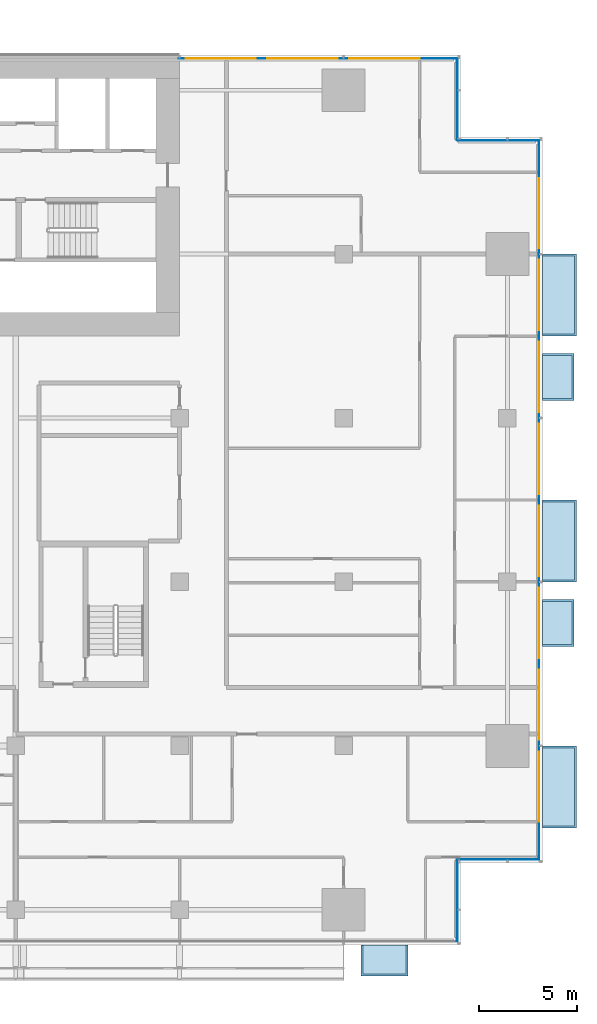
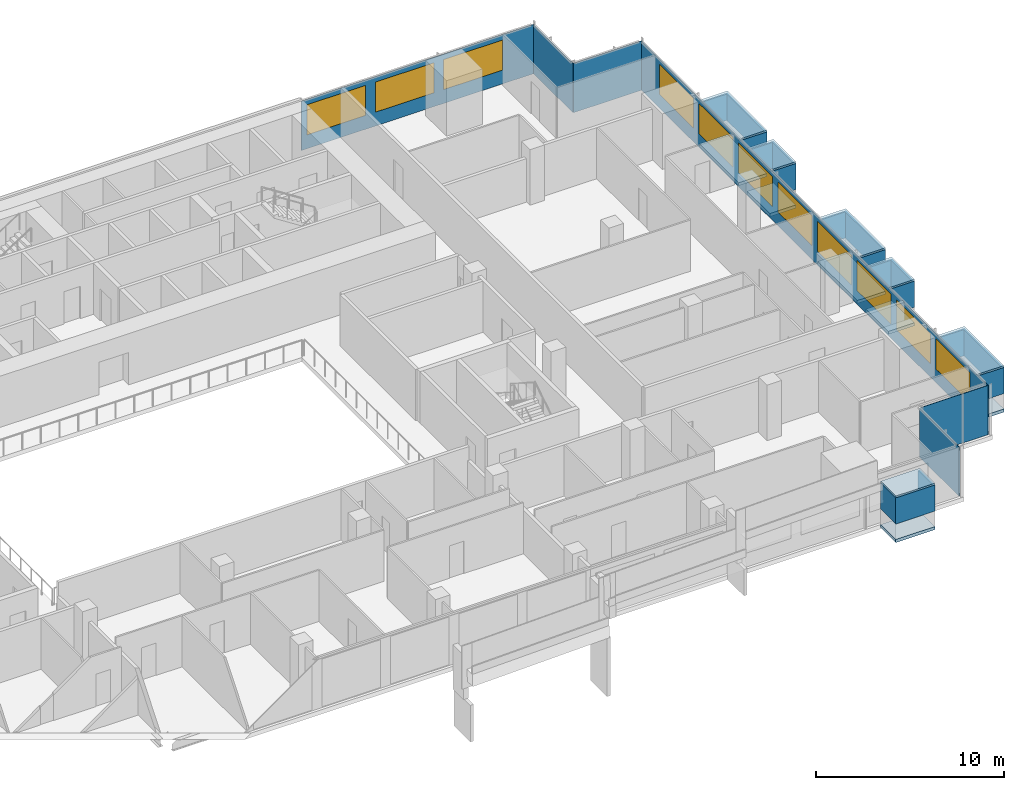
# One storey, part 16 of 27: 18 plates, 11 windows, 6 slabs, 11 openings, 6 elements without a shape of their own.
"""IFC4 building model written with IfcOpenShell, lengths in metres."""

from ifc_helpers import new_model, si_unit, direction, frame, frame_2d, origin, place, context, subcontext, project, spatial, polyline, rectangle, outline, extrude, material, layer, layer_set, type_object, element, fill, aggregate, save


model = new_model("IFC4")

# Units and contexts
model_context = context("Model", 3, precision=1e-05, world=origin(), true_north=direction((0.0, 1.0)))
body_context = subcontext(model_context, "Body", "Model", "MODEL_VIEW")
ifc_project = project(units=[si_unit("LENGTHUNIT", "METRE"), si_unit("AREAUNIT", "SQUARE_METRE"), si_unit("VOLUMEUNIT", "CUBIC_METRE"), si_unit("PLANEANGLEUNIT", "RADIAN"), si_unit("MASSUNIT", "GRAM", prefix="KILO")], contexts=[model_context])

# Site, building, storey
site_placement = place(None, origin())
site = spatial("IfcSite", under=ifc_project, at=site_placement, CompositionType="ELEMENT")
building_placement = place(site_placement, origin())
building = spatial("IfcBuilding", under=site, at=building_placement, Name="Saffron Gate Tower", CompositionType="ELEMENT")
storey_placement = place(building_placement, frame((0.0, 0.0, 44.39990234375)))
storey = spatial("IfcBuildingStorey", under=building, at=storey_placement, Name="L09", CompositionType="ELEMENT", Elevation=44.39990234375)

# Curtain wall, plate, openings, windows
ifc_material_1 = material(Name="Aluminium, bronze anodised", Category="aluminium")
curtain_wall_type_1 = type_object("IfcCurtainWallType", Name="CWS2 curtain wall side facades", PredefinedType="NOTDEFINED", material=ifc_material_1)
curtain_wall_1_placement = place(storey_placement, origin())
curtain_wall_1 = element("IfcCurtainWall", 1, at=curtain_wall_1_placement, inside=storey, type_object=curtain_wall_type_1, Name="CWS2 run 4", PredefinedType="NOTDEFINED")
ifc_material_2 = material(Name="Fritted bronze-tinted laminated glass", Category="glass")
ifc_layer_1 = layer(ifc_material_2, 0.028076171875)
ifc_layer_set_1 = layer_set([ifc_layer_1], Name="CWS2 fixed glass")
plate_type_1 = type_object("IfcPlateType", Name="CWS2 fixed glass", PredefinedType="CURTAIN_PANEL", material=ifc_layer_set_1)
plate_1_placement = place(storey_placement, frame((127.02587890625, 34.387939453125, 0.0), z_axis=(0.0, 0.0, 1.0), x_axis=(0.0, 1.0, 0.0)))
plate_1 = element("IfcPlate", 2, at=plate_1_placement, type_object=plate_type_1, Name="CWS2 glass panel", PredefinedType="CURTAIN_PANEL", context=body_context, shape_type="SweptSolid", body=[
    extrude(rectangle(XDim=36.823974609375, YDim=0.028076171875, at=frame_2d((18.412109375, 0.0))), origin(), (0.0, 0.0, 1.0), 3.2001953125),
])
opening_1_placement = place(plate_1_placement, frame((1.912109375, 0.0, 0.89990234375)))
opening_1 = element("IfcOpeningElement", 3, at=opening_1_placement, cuts=plate_1, Name="Opening W1", PredefinedType="OPENING", context=body_context, shape_type="SweptSolid", body=[
    extrude(rectangle(XDim=3.60009765625, YDim=1.949951171875, at=frame_2d((1.800048828125, 0.97509765625))), frame((0.0, 0.02392578125, 0.0), z_axis=(0.0, -1.0, 0.0), x_axis=(1.0, 0.0, 0.0)), (0.0, 0.0, 1.0), 0.048095703125),
])
opening_2_placement = place(plate_1_placement, frame((6.112060546875, 0.0, 0.89990234375)))
opening_2 = element("IfcOpeningElement", 4, at=opening_2_placement, cuts=plate_1, Name="Opening W1", PredefinedType="OPENING", context=body_context, shape_type="SweptSolid", body=[
    extrude(rectangle(XDim=3.60009765625, YDim=1.949951171875, at=frame_2d((1.800048828125, 0.97509765625))), frame((0.0, 0.02392578125, 0.0), z_axis=(0.0, -1.0, 0.0), x_axis=(1.0, 0.0, 0.0)), (0.0, 0.0, 1.0), 0.048095703125),
])
opening_3_placement = place(plate_1_placement, frame((10.31201171875, 0.0, 0.89990234375)))
opening_3 = element("IfcOpeningElement", 5, at=opening_3_placement, cuts=plate_1, Name="Opening W1", PredefinedType="OPENING", context=body_context, shape_type="SweptSolid", body=[
    extrude(rectangle(XDim=3.60009765625, YDim=1.949951171875, at=frame_2d((1.800048828125, 0.97509765625))), frame((0.0, 0.02392578125, 0.0), z_axis=(0.0, -1.0, 0.0), x_axis=(1.0, 0.0, 0.0)), (0.0, 0.0, 1.0), 0.048095703125),
])
opening_4_placement = place(plate_1_placement, frame((14.511962890625, 0.0, 0.89990234375)))
opening_4 = element("IfcOpeningElement", 6, at=opening_4_placement, cuts=plate_1, Name="Opening W1", PredefinedType="OPENING", context=body_context, shape_type="SweptSolid", body=[
    extrude(rectangle(XDim=3.60009765625, YDim=1.949951171875, at=frame_2d((1.800048828125, 0.97509765625))), frame((0.0, 0.02392578125, 0.0), z_axis=(0.0, -1.0, 0.0), x_axis=(1.0, 0.0, 0.0)), (0.0, 0.0, 1.0), 0.048095703125),
])
opening_5_placement = place(plate_1_placement, frame((18.7119140625, 0.0, 0.89990234375)))
opening_5 = element("IfcOpeningElement", 7, at=opening_5_placement, cuts=plate_1, Name="Opening W1", PredefinedType="OPENING", context=body_context, shape_type="SweptSolid", body=[
    extrude(rectangle(XDim=3.60009765625, YDim=1.949951171875, at=frame_2d((1.800048828125, 0.97509765625))), frame((0.0, 0.02392578125, 0.0), z_axis=(0.0, -1.0, 0.0), x_axis=(1.0, 0.0, 0.0)), (0.0, 0.0, 1.0), 0.048095703125),
])
opening_6_placement = place(plate_1_placement, frame((22.912109375, 0.0, 0.89990234375)))
opening_6 = element("IfcOpeningElement", 8, at=opening_6_placement, cuts=plate_1, Name="Opening W1", PredefinedType="OPENING", context=body_context, shape_type="SweptSolid", body=[
    extrude(rectangle(XDim=3.60009765625, YDim=1.949951171875, at=frame_2d((1.800048828125, 0.97509765625))), frame((0.0, 0.02392578125, 0.0), z_axis=(0.0, -1.0, 0.0), x_axis=(1.0, 0.0, 0.0)), (0.0, 0.0, 1.0), 0.048095703125),
])
opening_7_placement = place(plate_1_placement, frame((27.112060546875, 0.0, 0.89990234375)))
opening_7 = element("IfcOpeningElement", 9, at=opening_7_placement, cuts=plate_1, Name="Opening W1", PredefinedType="OPENING", context=body_context, shape_type="SweptSolid", body=[
    extrude(rectangle(XDim=3.60009765625, YDim=1.949951171875, at=frame_2d((1.800048828125, 0.97509765625))), frame((0.0, 0.02392578125, 0.0), z_axis=(0.0, -1.0, 0.0), x_axis=(1.0, 0.0, 0.0)), (0.0, 0.0, 1.0), 0.048095703125),
])
opening_8_placement = place(plate_1_placement, frame((31.31201171875, 0.0, 0.89990234375)))
opening_8 = element("IfcOpeningElement", 10, at=opening_8_placement, cuts=plate_1, Name="Opening W1", PredefinedType="OPENING", context=body_context, shape_type="SweptSolid", body=[
    extrude(rectangle(XDim=3.60009765625, YDim=1.949951171875, at=frame_2d((1.800048828125, 0.97509765625))), frame((0.0, 0.02392578125, 0.0), z_axis=(0.0, -1.0, 0.0), x_axis=(1.0, 0.0, 0.0)), (0.0, 0.0, 1.0), 0.048095703125),
])
ifc_material_3 = material(Name="Fritted bronze-tinted laminated glass in bronze frame", Category="glass")
ifc_layer_2 = layer(ifc_material_3, 0.06005859375)
ifc_layer_set_2 = layer_set([ifc_layer_2], Name="W1 operable panel 3600x1950")
window_type = type_object("IfcWindowType", Name="W1 operable panel 3600x1950", PartitioningType="DOUBLE_PANEL_HORIZONTAL", PredefinedType="WINDOW", material=ifc_layer_set_2)
window_1_placement = place(opening_1_placement, origin())
window_1 = element("IfcWindow", 11, at=window_1_placement, type_object=window_type, Name="W1 operable panel", OverallHeight=1.949951171875, OverallWidth=3.60009765625, PartitioningType="SINGLE_PANEL", PredefinedType="WINDOW", context=body_context, shape_type="SweptSolid", body=[
    extrude(rectangle(XDim=3.60009765625, YDim=1.949951171875, at=frame_2d((1.800048828125, 0.97509765625))), frame((0.0, 0.013671875, 0.0), z_axis=(0.0, -1.0, 0.0), x_axis=(1.0, 0.0, 0.0)), (0.0, 0.0, 1.0), 0.027587890625),
])
fill(opening_1, window_1)
window_2_placement = place(opening_2_placement, origin())
window_2 = element("IfcWindow", 12, at=window_2_placement, type_object=window_type, Name="W1 operable panel", OverallHeight=1.949951171875, OverallWidth=3.60009765625, PartitioningType="SINGLE_PANEL", PredefinedType="WINDOW", context=body_context, shape_type="SweptSolid", body=[
    extrude(rectangle(XDim=3.60009765625, YDim=1.949951171875, at=frame_2d((1.800048828125, 0.97509765625))), frame((0.0, 0.013671875, 0.0), z_axis=(0.0, -1.0, 0.0), x_axis=(1.0, 0.0, 0.0)), (0.0, 0.0, 1.0), 0.027587890625),
])
fill(opening_2, window_2)
window_3_placement = place(opening_3_placement, origin())
window_3 = element("IfcWindow", 13, at=window_3_placement, type_object=window_type, Name="W1 operable panel", OverallHeight=1.949951171875, OverallWidth=3.60009765625, PartitioningType="SINGLE_PANEL", PredefinedType="WINDOW", context=body_context, shape_type="SweptSolid", body=[
    extrude(rectangle(XDim=3.60009765625, YDim=1.949951171875, at=frame_2d((1.800048828125, 0.97509765625))), frame((0.0, 0.013671875, 0.0), z_axis=(0.0, -1.0, 0.0), x_axis=(1.0, 0.0, 0.0)), (0.0, 0.0, 1.0), 0.027587890625),
])
fill(opening_3, window_3)
window_4_placement = place(opening_4_placement, origin())
window_4 = element("IfcWindow", 14, at=window_4_placement, type_object=window_type, Name="W1 operable panel", OverallHeight=1.949951171875, OverallWidth=3.60009765625, PartitioningType="SINGLE_PANEL", PredefinedType="WINDOW", context=body_context, shape_type="SweptSolid", body=[
    extrude(rectangle(XDim=3.60009765625, YDim=1.949951171875, at=frame_2d((1.800048828125, 0.97509765625))), frame((0.0, 0.013671875, 0.0), z_axis=(0.0, -1.0, 0.0), x_axis=(1.0, 0.0, 0.0)), (0.0, 0.0, 1.0), 0.027587890625),
])
fill(opening_4, window_4)
window_5_placement = place(opening_5_placement, origin())
window_5 = element("IfcWindow", 15, at=window_5_placement, type_object=window_type, Name="W1 operable panel", OverallHeight=1.949951171875, OverallWidth=3.60009765625, PartitioningType="SINGLE_PANEL", PredefinedType="WINDOW", context=body_context, shape_type="SweptSolid", body=[
    extrude(rectangle(XDim=3.60009765625, YDim=1.949951171875, at=frame_2d((1.800048828125, 0.97509765625))), frame((0.0, 0.013671875, 0.0), z_axis=(0.0, -1.0, 0.0), x_axis=(1.0, 0.0, 0.0)), (0.0, 0.0, 1.0), 0.027587890625),
])
fill(opening_5, window_5)
window_6_placement = place(opening_6_placement, origin())
window_6 = element("IfcWindow", 16, at=window_6_placement, type_object=window_type, Name="W1 operable panel", OverallHeight=1.949951171875, OverallWidth=3.60009765625, PartitioningType="SINGLE_PANEL", PredefinedType="WINDOW", context=body_context, shape_type="SweptSolid", body=[
    extrude(rectangle(XDim=3.60009765625, YDim=1.949951171875, at=frame_2d((1.800048828125, 0.97509765625))), frame((0.0, 0.013671875, 0.0), z_axis=(0.0, -1.0, 0.0), x_axis=(1.0, 0.0, 0.0)), (0.0, 0.0, 1.0), 0.027587890625),
])
fill(opening_6, window_6)
window_7_placement = place(opening_7_placement, origin())
window_7 = element("IfcWindow", 17, at=window_7_placement, type_object=window_type, Name="W1 operable panel", OverallHeight=1.949951171875, OverallWidth=3.60009765625, PartitioningType="SINGLE_PANEL", PredefinedType="WINDOW", context=body_context, shape_type="SweptSolid", body=[
    extrude(rectangle(XDim=3.60009765625, YDim=1.949951171875, at=frame_2d((1.800048828125, 0.97509765625))), frame((0.0, 0.013671875, 0.0), z_axis=(0.0, -1.0, 0.0), x_axis=(1.0, 0.0, 0.0)), (0.0, 0.0, 1.0), 0.027587890625),
])
fill(opening_7, window_7)
window_8_placement = place(opening_8_placement, origin())
window_8 = element("IfcWindow", 18, at=window_8_placement, type_object=window_type, Name="W1 operable panel", OverallHeight=1.949951171875, OverallWidth=3.60009765625, PartitioningType="SINGLE_PANEL", PredefinedType="WINDOW", context=body_context, shape_type="SweptSolid", body=[
    extrude(rectangle(XDim=3.60009765625, YDim=1.949951171875, at=frame_2d((1.800048828125, 0.97509765625))), frame((0.0, 0.013671875, 0.0), z_axis=(0.0, -1.0, 0.0), x_axis=(1.0, 0.0, 0.0)), (0.0, 0.0, 1.0), 0.027587890625),
])
fill(opening_8, window_8)
aggregate(curtain_wall_1, [plate_1, window_1, window_2, window_3, window_4, window_5, window_6, window_7, window_8])

curtain_wall_type_2 = type_object("IfcCurtainWallType", Name="CWS3 curtain wall rear facade", PredefinedType="NOTDEFINED", material=ifc_material_1)
curtain_wall_2_placement = place(storey_placement, origin())
curtain_wall_2 = element("IfcCurtainWall", 19, at=curtain_wall_2_placement, inside=storey, type_object=curtain_wall_type_2, Name="CWS3 run 7", PredefinedType="NOTDEFINED")
ifc_material_4 = material(Name="Fritted grey-tinted laminated glass", Category="glass")
ifc_layer_3 = layer(ifc_material_4, 0.028076171875)
ifc_layer_set_3 = layer_set([ifc_layer_3], Name="CWS3 fixed glass")
plate_type_2 = type_object("IfcPlateType", Name="CWS3 fixed glass", PredefinedType="CURTAIN_PANEL", material=ifc_layer_set_3)
plate_2_placement = place(storey_placement, frame((122.81201171875, 75.426025390625, 0.0), z_axis=(0.0, 0.0, 1.0), x_axis=(-1.0, 0.0, 0.0)))
plate_2 = element("IfcPlate", 20, at=plate_2_placement, type_object=plate_type_2, Name="CWS3 glass panel", PredefinedType="CURTAIN_PANEL", context=body_context, shape_type="SweptSolid", body=[
    extrude(rectangle(XDim=14.2470703125, YDim=0.028076171875, at=frame_2d((7.12353515625, 0.0))), origin(), (0.0, 0.0, 1.0), 3.2001953125),
])
opening_9_placement = place(plate_2_placement, frame((1.912109375, 0.0, 0.89990234375)))
opening_9 = element("IfcOpeningElement", 21, at=opening_9_placement, cuts=plate_2, Name="Opening W1", PredefinedType="OPENING", context=body_context, shape_type="SweptSolid", body=[
    extrude(rectangle(XDim=3.60009765625, YDim=1.949951171875, at=frame_2d((1.800048828125, 0.97509765625))), frame((0.0, 0.02392578125, 0.0), z_axis=(0.0, -1.0, 0.0), x_axis=(1.0, 0.0, 0.0)), (0.0, 0.0, 1.0), 0.048095703125),
])
opening_10_placement = place(plate_2_placement, frame((6.112060546875, 0.0, 0.89990234375)))
opening_10 = element("IfcOpeningElement", 22, at=opening_10_placement, cuts=plate_2, Name="Opening W1", PredefinedType="OPENING", context=body_context, shape_type="SweptSolid", body=[
    extrude(rectangle(XDim=3.60009765625, YDim=1.949951171875, at=frame_2d((1.800048828125, 0.97509765625))), frame((0.0, 0.02392578125, 0.0), z_axis=(0.0, -1.0, 0.0), x_axis=(1.0, 0.0, 0.0)), (0.0, 0.0, 1.0), 0.048095703125),
])
opening_11_placement = place(plate_2_placement, frame((10.31201171875, 0.0, 0.89990234375)))
opening_11 = element("IfcOpeningElement", 23, at=opening_11_placement, cuts=plate_2, Name="Opening W1", PredefinedType="OPENING", context=body_context, shape_type="SweptSolid", body=[
    extrude(rectangle(XDim=3.60009765625, YDim=1.949951171875, at=frame_2d((1.800048828125, 0.97509765625))), frame((0.0, 0.02392578125, 0.0), z_axis=(0.0, -1.0, 0.0), x_axis=(1.0, 0.0, 0.0)), (0.0, 0.0, 1.0), 0.048095703125),
])
window_9_placement = place(opening_9_placement, origin())
window_9 = element("IfcWindow", 24, at=window_9_placement, type_object=window_type, Name="W1 operable panel", OverallHeight=1.949951171875, OverallWidth=3.60009765625, PartitioningType="SINGLE_PANEL", PredefinedType="WINDOW", context=body_context, shape_type="SweptSolid", body=[
    extrude(rectangle(XDim=3.60009765625, YDim=1.949951171875, at=frame_2d((1.800048828125, 0.97509765625))), frame((0.0, 0.013671875, 0.0), z_axis=(0.0, -1.0, 0.0), x_axis=(1.0, 0.0, 0.0)), (0.0, 0.0, 1.0), 0.027587890625),
])
fill(opening_9, window_9)
window_10_placement = place(opening_10_placement, origin())
window_10 = element("IfcWindow", 25, at=window_10_placement, type_object=window_type, Name="W1 operable panel", OverallHeight=1.949951171875, OverallWidth=3.60009765625, PartitioningType="SINGLE_PANEL", PredefinedType="WINDOW", context=body_context, shape_type="SweptSolid", body=[
    extrude(rectangle(XDim=3.60009765625, YDim=1.949951171875, at=frame_2d((1.800048828125, 0.97509765625))), frame((0.0, 0.013671875, 0.0), z_axis=(0.0, -1.0, 0.0), x_axis=(1.0, 0.0, 0.0)), (0.0, 0.0, 1.0), 0.027587890625),
])
fill(opening_10, window_10)
window_11_placement = place(opening_11_placement, origin())
window_11 = element("IfcWindow", 26, at=window_11_placement, type_object=window_type, Name="W1 operable panel", OverallHeight=1.949951171875, OverallWidth=3.60009765625, PartitioningType="SINGLE_PANEL", PredefinedType="WINDOW", context=body_context, shape_type="SweptSolid", body=[
    extrude(rectangle(XDim=3.60009765625, YDim=1.949951171875, at=frame_2d((1.800048828125, 0.97509765625))), frame((0.0, 0.013671875, 0.0), z_axis=(0.0, -1.0, 0.0), x_axis=(1.0, 0.0, 0.0)), (0.0, 0.0, 1.0), 0.027587890625),
])
fill(opening_11, window_11)
aggregate(curtain_wall_2, [plate_2, window_9, window_10, window_11])

# Curtain wall, plate
curtain_wall_type_3 = type_object("IfcCurtainWallType", Name="CWS4 curtain wall corner returns", PredefinedType="NOTDEFINED", material=ifc_material_1)
curtain_wall_3_placement = place(storey_placement, origin())
curtain_wall_3 = element("IfcCurtainWall", 27, at=curtain_wall_3_placement, inside=storey, type_object=curtain_wall_type_3, Name="CWS4 run 2", PredefinedType="NOTDEFINED")
ifc_layer_4 = layer(ifc_material_2, 0.028076171875)
ifc_layer_set_4 = layer_set([ifc_layer_4], Name="CWS4 fixed glass")
plate_type_3 = type_object("IfcPlateType", Name="CWS4 fixed glass", PredefinedType="CURTAIN_PANEL", material=ifc_layer_set_4)
plate_3_placement = place(storey_placement, frame((122.825927734375, 30.18798828125, 0.0), z_axis=(0.0, 0.0, 1.0), x_axis=(0.0, 1.0, 0.0)))
plate_3 = element("IfcPlate", 28, at=plate_3_placement, type_object=plate_type_3, Name="CWS4 glass panel", PredefinedType="CURTAIN_PANEL", context=body_context, shape_type="SweptSolid", body=[
    extrude(rectangle(XDim=4.172119140625, YDim=0.028076171875, at=frame_2d((2.0859375, 0.0))), origin(), (0.0, 0.0, 1.0), 3.2001953125),
])
aggregate(curtain_wall_3, [plate_3])

curtain_wall_4_placement = place(storey_placement, origin())
curtain_wall_4 = element("IfcCurtainWall", 29, at=curtain_wall_4_placement, inside=storey, type_object=curtain_wall_type_3, Name="CWS4 run 3", PredefinedType="NOTDEFINED")
plate_4_placement = place(storey_placement, frame((122.840087890625, 34.3740234375, 0.0), z_axis=(0.0, 0.0, 1.0), x_axis=(1.0, 0.0, 0.0)))
plate_4 = element("IfcPlate", 30, at=plate_4_placement, type_object=plate_type_3, Name="CWS4 glass panel", PredefinedType="CURTAIN_PANEL", context=body_context, shape_type="SweptSolid", body=[
    extrude(rectangle(XDim=4.171875, YDim=0.028076171875, at=frame_2d((2.0859375, 0.0))), origin(), (0.0, 0.0, 1.0), 3.2001953125),
])
aggregate(curtain_wall_4, [plate_4])

curtain_wall_5_placement = place(storey_placement, origin())
curtain_wall_5 = element("IfcCurtainWall", 31, at=curtain_wall_5_placement, inside=storey, type_object=curtain_wall_type_3, Name="CWS4 run 5", PredefinedType="NOTDEFINED")
plate_5_placement = place(storey_placement, frame((127.011962890625, 71.22607421875, 0.0), z_axis=(0.0, 0.0, 1.0), x_axis=(-1.0, 0.0, 0.0)))
plate_5 = element("IfcPlate", 32, at=plate_5_placement, type_object=plate_type_3, Name="CWS4 glass panel", PredefinedType="CURTAIN_PANEL", context=body_context, shape_type="SweptSolid", body=[
    extrude(rectangle(XDim=4.171875, YDim=0.028076171875, at=frame_2d((2.0859375, 0.0))), origin(), (0.0, 0.0, 1.0), 3.2001953125),
])
aggregate(curtain_wall_5, [plate_5])

curtain_wall_6_placement = place(storey_placement, origin())
curtain_wall_6 = element("IfcCurtainWall", 33, at=curtain_wall_6_placement, inside=storey, type_object=curtain_wall_type_3, Name="CWS4 run 6", PredefinedType="NOTDEFINED")
plate_6_placement = place(storey_placement, frame((122.825927734375, 71.239990234375, 0.0), z_axis=(0.0, 0.0, 1.0), x_axis=(0.0, 1.0, 0.0)))
plate_6 = element("IfcPlate", 34, at=plate_6_placement, type_object=plate_type_3, Name="CWS4 glass panel", PredefinedType="CURTAIN_PANEL", context=body_context, shape_type="SweptSolid", body=[
    extrude(rectangle(XDim=4.172119140625, YDim=0.028076171875, at=frame_2d((2.0859375, 0.0))), origin(), (0.0, 0.0, 1.0), 3.2001953125),
])
aggregate(curtain_wall_6, [plate_6])

# Slabs
ifc_material_5 = material(Name="Timber deck on bronze frame", Category="wood")
ifc_layer_5 = layer(ifc_material_5, 0.199951171875)
ifc_layer_set_5 = layer_set([ifc_layer_5], Name="WB1 box floor")
slab_type = type_object("IfcSlabType", Name="WB1 box floor", PredefinedType="FLOOR", material=ifc_layer_set_5)
slab_1_placement = place(storey_placement, frame((0.0, 0.0, -0.199951171875)))
element("IfcSlab", 35, at=slab_1_placement, inside=storey, type_object=slab_type, Name="WINDOW BOX floor", PredefinedType="FLOOR", context=body_context, shape_type="SweptSolid", body=[
    extrude(outline(polyline([(117.89990234375, 30.0), (120.300048828125, 30.0), (120.300048828125, 28.39990234375), (117.89990234375, 28.39990234375), (117.89990234375, 30.0)])), origin(), (0.0, 0.0, 1.0), 0.199951171875),
])
slab_2_placement = place(storey_placement, frame((0.0, 0.0, -0.199951171875)))
element("IfcSlab", 36, at=slab_2_placement, inside=storey, type_object=slab_type, Name="WINDOW BOX floor", PredefinedType="FLOOR", context=body_context, shape_type="SweptSolid", body=[
    extrude(outline(polyline([(127.199951171875, 36.0), (127.199951171875, 40.199951171875), (128.93310546875, 40.199951171875), (128.93310546875, 36.0), (127.199951171875, 36.0)])), origin(), (0.0, 0.0, 1.0), 0.199951171875),
])
slab_3_placement = place(storey_placement, frame((0.0, 0.0, -0.199951171875)))
element("IfcSlab", 37, at=slab_3_placement, inside=storey, type_object=slab_type, Name="WINDOW BOX floor", PredefinedType="FLOOR", context=body_context, shape_type="SweptSolid", body=[
    extrude(outline(polyline([(127.199951171875, 45.300048828125), (127.199951171875, 47.699951171875), (128.800048828125, 47.699951171875), (128.800048828125, 45.300048828125), (127.199951171875, 45.300048828125)])), origin(), (0.0, 0.0, 1.0), 0.199951171875),
])
slab_4_placement = place(storey_placement, frame((0.0, 0.0, -0.199951171875)))
element("IfcSlab", 38, at=slab_4_placement, inside=storey, type_object=slab_type, Name="WINDOW BOX floor", PredefinedType="FLOOR", context=body_context, shape_type="SweptSolid", body=[
    extrude(outline(polyline([(127.199951171875, 48.60009765625), (127.199951171875, 52.800048828125), (128.93310546875, 52.800048828125), (128.93310546875, 48.60009765625), (127.199951171875, 48.60009765625)])), origin(), (0.0, 0.0, 1.0), 0.199951171875),
])
slab_5_placement = place(storey_placement, frame((0.0, 0.0, -0.199951171875)))
element("IfcSlab", 39, at=slab_5_placement, inside=storey, type_object=slab_type, Name="WINDOW BOX floor", PredefinedType="FLOOR", context=body_context, shape_type="SweptSolid", body=[
    extrude(outline(polyline([(127.199951171875, 57.89990234375), (127.199951171875, 60.300048828125), (128.800048828125, 60.300048828125), (128.800048828125, 57.89990234375), (127.199951171875, 57.89990234375)])), origin(), (0.0, 0.0, 1.0), 0.199951171875),
])
slab_6_placement = place(storey_placement, frame((0.0, 0.0, -0.199951171875)))
element("IfcSlab", 40, at=slab_6_placement, inside=storey, type_object=slab_type, Name="WINDOW BOX floor", PredefinedType="FLOOR", context=body_context, shape_type="SweptSolid", body=[
    extrude(outline(polyline([(127.199951171875, 61.199951171875), (127.199951171875, 65.39990234375), (128.93310546875, 65.39990234375), (128.93310546875, 61.199951171875), (127.199951171875, 61.199951171875)])), origin(), (0.0, 0.0, 1.0), 0.199951171875),
])

# Plates
ifc_layer_6 = layer(ifc_material_1, 0.1201171875)
ifc_layer_set_6 = layer_set([ifc_layer_6], Name="WB2 box roof")
plate_type_4 = type_object("IfcPlateType", Name="WB2 box roof", PredefinedType="SHEET", material=ifc_layer_set_6)
plate_7_placement = place(storey_placement, frame((0.0, 0.0, 2.7001953125)))
element("IfcPlate", 41, at=plate_7_placement, inside=storey, type_object=plate_type_4, Name="WINDOW BOX roof", PredefinedType="SHEET", context=body_context, shape_type="SweptSolid", body=[
    extrude(outline(polyline([(117.89990234375, 30.0), (120.300048828125, 30.0), (120.300048828125, 28.39990234375), (117.89990234375, 28.39990234375), (117.89990234375, 30.0)])), origin(), (0.0, 0.0, 1.0), 0.119873046875),
])
plate_8_placement = place(storey_placement, frame((0.0, 0.0, 2.7001953125)))
element("IfcPlate", 42, at=plate_8_placement, inside=storey, type_object=plate_type_4, Name="WINDOW BOX roof", PredefinedType="SHEET", context=body_context, shape_type="SweptSolid", body=[
    extrude(outline(polyline([(127.199951171875, 36.0), (127.199951171875, 40.199951171875), (128.93310546875, 40.199951171875), (128.93310546875, 36.0), (127.199951171875, 36.0)])), origin(), (0.0, 0.0, 1.0), 0.119873046875),
])
plate_9_placement = place(storey_placement, frame((0.0, 0.0, 2.7001953125)))
element("IfcPlate", 43, at=plate_9_placement, inside=storey, type_object=plate_type_4, Name="WINDOW BOX roof", PredefinedType="SHEET", context=body_context, shape_type="SweptSolid", body=[
    extrude(outline(polyline([(127.199951171875, 45.300048828125), (127.199951171875, 47.699951171875), (128.800048828125, 47.699951171875), (128.800048828125, 45.300048828125), (127.199951171875, 45.300048828125)])), origin(), (0.0, 0.0, 1.0), 0.119873046875),
])
plate_10_placement = place(storey_placement, frame((0.0, 0.0, 2.7001953125)))
element("IfcPlate", 44, at=plate_10_placement, inside=storey, type_object=plate_type_4, Name="WINDOW BOX roof", PredefinedType="SHEET", context=body_context, shape_type="SweptSolid", body=[
    extrude(outline(polyline([(127.199951171875, 48.60009765625), (127.199951171875, 52.800048828125), (128.93310546875, 52.800048828125), (128.93310546875, 48.60009765625), (127.199951171875, 48.60009765625)])), origin(), (0.0, 0.0, 1.0), 0.119873046875),
])
plate_11_placement = place(storey_placement, frame((0.0, 0.0, 2.7001953125)))
element("IfcPlate", 45, at=plate_11_placement, inside=storey, type_object=plate_type_4, Name="WINDOW BOX roof", PredefinedType="SHEET", context=body_context, shape_type="SweptSolid", body=[
    extrude(outline(polyline([(127.199951171875, 57.89990234375), (127.199951171875, 60.300048828125), (128.800048828125, 60.300048828125), (128.800048828125, 57.89990234375), (127.199951171875, 57.89990234375)])), origin(), (0.0, 0.0, 1.0), 0.119873046875),
])
plate_12_placement = place(storey_placement, frame((0.0, 0.0, 2.7001953125)))
element("IfcPlate", 46, at=plate_12_placement, inside=storey, type_object=plate_type_4, Name="WINDOW BOX roof", PredefinedType="SHEET", context=body_context, shape_type="SweptSolid", body=[
    extrude(outline(polyline([(127.199951171875, 61.199951171875), (127.199951171875, 65.39990234375), (128.93310546875, 65.39990234375), (128.93310546875, 61.199951171875), (127.199951171875, 61.199951171875)])), origin(), (0.0, 0.0, 1.0), 0.119873046875),
])
ifc_material_6 = material(Name="Clear low-iron laminated glass", Category="glass")
ifc_layer_7 = layer(ifc_material_6, 0.10009765625)
ifc_layer_set_7 = layer_set([ifc_layer_7], Name="WB6 box glazing")
plate_type_5 = type_object("IfcPlateType", Name="WB6 box glazing", PredefinedType="SHEET", material=ifc_layer_set_7)
plate_13_placement = place(storey_placement, frame((0.0, 0.0, 1.0)))
element("IfcPlate", 47, at=plate_13_placement, inside=storey, type_object=plate_type_5, Name="WINDOW BOX glazing", PredefinedType="SHEET", context=body_context, shape_type="SweptSolid", body=[
    extrude(outline(polyline([(117.89990234375, 30.0), (118.0, 30.0), (118.0, 28.5), (120.199951171875, 28.5), (120.199951171875, 30.0), (120.300048828125, 30.0), (120.300048828125, 28.39990234375), (117.89990234375, 28.39990234375), (117.89990234375, 30.0)])), origin(), (0.0, 0.0, 1.0), 1.7001953125),
])
plate_14_placement = place(storey_placement, frame((0.0, 0.0, 1.0)))
element("IfcPlate", 48, at=plate_14_placement, inside=storey, type_object=plate_type_5, Name="WINDOW BOX glazing", PredefinedType="SHEET", context=body_context, shape_type="SweptSolid", body=[
    extrude(outline(polyline([(127.199951171875, 36.0), (127.199951171875, 36.10009765625), (128.8330078125, 36.10009765625), (128.8330078125, 40.10009765625), (127.199951171875, 40.10009765625), (127.199951171875, 40.199951171875), (128.93310546875, 40.199951171875), (128.93310546875, 36.0), (127.199951171875, 36.0)])), origin(), (0.0, 0.0, 1.0), 1.7001953125),
])
plate_15_placement = place(storey_placement, frame((0.0, 0.0, 1.0)))
element("IfcPlate", 49, at=plate_15_placement, inside=storey, type_object=plate_type_5, Name="WINDOW BOX glazing", PredefinedType="SHEET", context=body_context, shape_type="SweptSolid", body=[
    extrude(outline(polyline([(127.199951171875, 45.300048828125), (127.199951171875, 45.39990234375), (128.699951171875, 45.39990234375), (128.699951171875, 47.60009765625), (127.199951171875, 47.60009765625), (127.199951171875, 47.699951171875), (128.800048828125, 47.699951171875), (128.800048828125, 45.300048828125), (127.199951171875, 45.300048828125)])), origin(), (0.0, 0.0, 1.0), 1.7001953125),
])
plate_16_placement = place(storey_placement, frame((0.0, 0.0, 1.0)))
element("IfcPlate", 50, at=plate_16_placement, inside=storey, type_object=plate_type_5, Name="WINDOW BOX glazing", PredefinedType="SHEET", context=body_context, shape_type="SweptSolid", body=[
    extrude(outline(polyline([(127.199951171875, 48.60009765625), (127.199951171875, 48.699951171875), (128.8330078125, 48.699951171875), (128.8330078125, 52.699951171875), (127.199951171875, 52.699951171875), (127.199951171875, 52.800048828125), (128.93310546875, 52.800048828125), (128.93310546875, 48.60009765625), (127.199951171875, 48.60009765625)])), origin(), (0.0, 0.0, 1.0), 1.7001953125),
])
plate_17_placement = place(storey_placement, frame((0.0, 0.0, 1.0)))
element("IfcPlate", 51, at=plate_17_placement, inside=storey, type_object=plate_type_5, Name="WINDOW BOX glazing", PredefinedType="SHEET", context=body_context, shape_type="SweptSolid", body=[
    extrude(outline(polyline([(127.199951171875, 57.89990234375), (127.199951171875, 58.0), (128.699951171875, 58.0), (128.699951171875, 60.199951171875), (127.199951171875, 60.199951171875), (127.199951171875, 60.300048828125), (128.800048828125, 60.300048828125), (128.800048828125, 57.89990234375), (127.199951171875, 57.89990234375)])), origin(), (0.0, 0.0, 1.0), 1.7001953125),
])
plate_18_placement = place(storey_placement, frame((0.0, 0.0, 1.0)))
element("IfcPlate", 52, at=plate_18_placement, inside=storey, type_object=plate_type_5, Name="WINDOW BOX glazing", PredefinedType="SHEET", context=body_context, shape_type="SweptSolid", body=[
    extrude(outline(polyline([(127.199951171875, 61.199951171875), (127.199951171875, 61.300048828125), (128.8330078125, 61.300048828125), (128.8330078125, 65.300048828125), (127.199951171875, 65.300048828125), (127.199951171875, 65.39990234375), (128.93310546875, 65.39990234375), (128.93310546875, 61.199951171875), (127.199951171875, 61.199951171875)])), origin(), (0.0, 0.0, 1.0), 1.7001953125),
])

save(model, "model.ifc")
